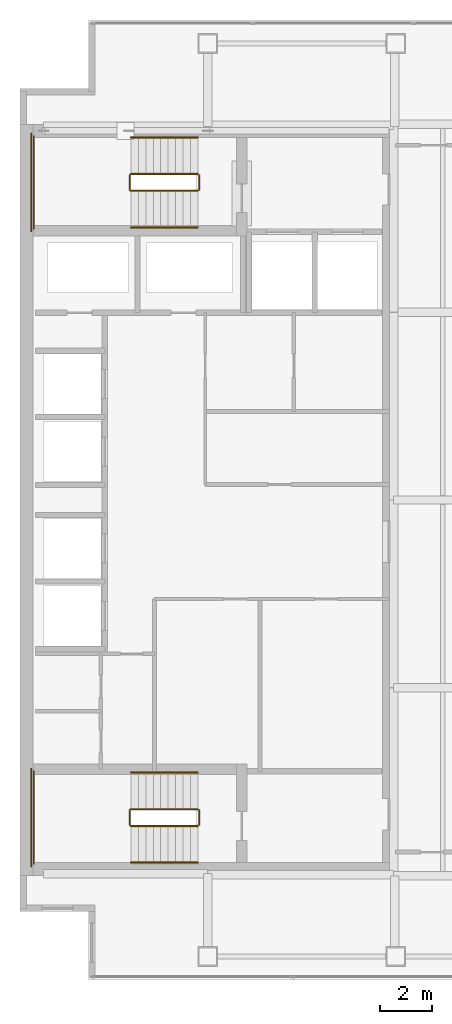
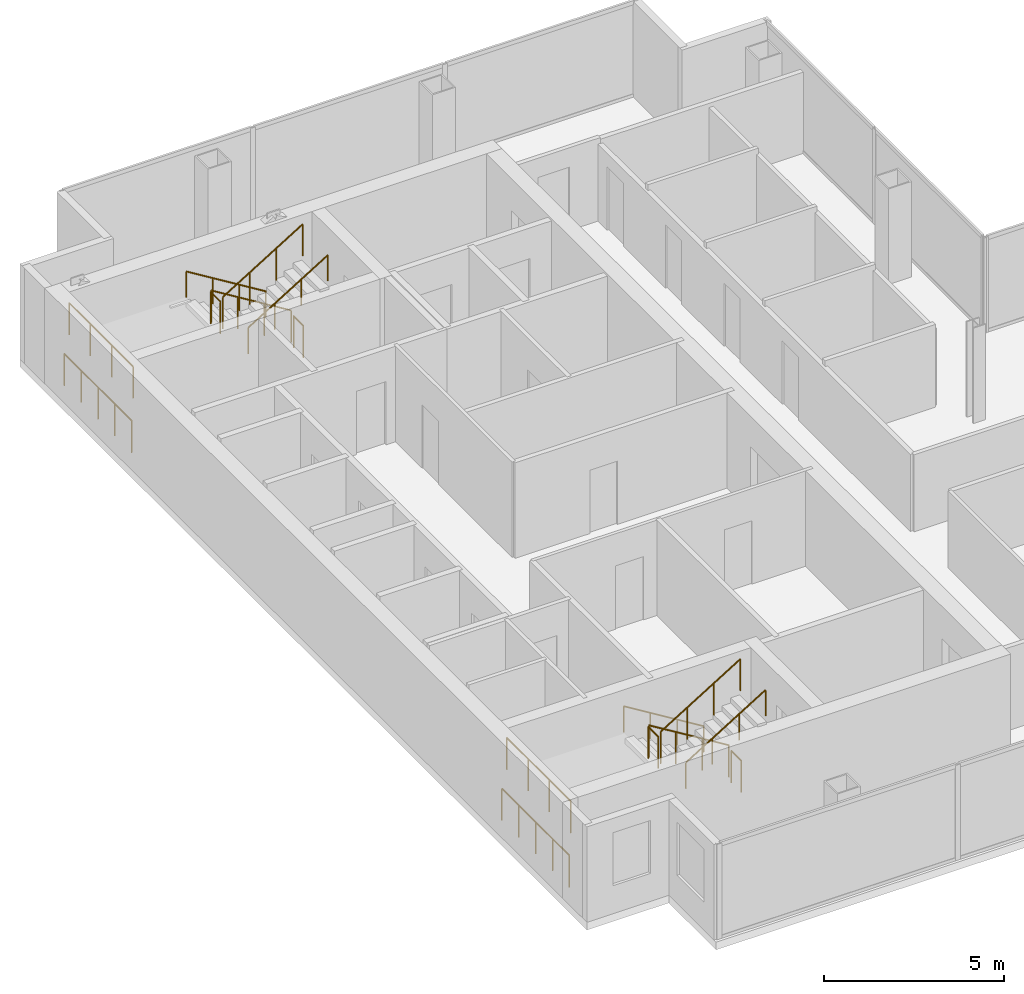
# One storey, part 23 of 23: 16 railings.
"""IFC4 building model written with IfcOpenShell, lengths in metres."""

import ifcopenshell
import ifcopenshell.guid

model = None  # the IFC model being written
_history = None  # IfcOwnerHistory: only IFC2X3 demands one
_inside = {}  # id of a spatial element -> (the spatial element, [elements in it])
_under = {}  # id of a project, library or spatial element -> (it, [spatial elements below it])
_declared = {}  # id of a project -> (the project, [libraries it declares])
_typed = {}  # id of a type object -> (the type object, [elements of that type])
_made_of = {}  # id of a material, layer set ... -> (it, [elements and type objects made of it])


def new_model(schema):
    """Start an empty IFC model of exactly this schema.

    Asked for "IFC4X3", IfcOpenShell would pick the latest addendum, in which some entities
    have other attributes; the version numbers below select the first issue.
    IFC2X3 requires an IfcOwnerHistory on every rooted entity: one is made here for all.
    """
    global model, _history
    if schema == "IFC4X3":
        model = ifcopenshell.file(schema_version=(4, 3, 0, 0))
    else:
        model = ifcopenshell.file(schema=schema)
    _inside.clear()
    _under.clear()
    _declared.clear()
    _typed.clear()
    _made_of.clear()
    _history = None
    if model.schema == "IFC2X3":
        org = make("IfcOrganization", Name="unknown")
        user = make(
            "IfcPersonAndOrganization",
            ThePerson=make("IfcPerson", FamilyName="unknown"),
            TheOrganization=org,
        )
        app = make(
            "IfcApplication",
            ApplicationDeveloper=org,
            Version="unknown",
            ApplicationFullName="unknown",
            ApplicationIdentifier="unknown",
        )
        _history = make(
            "IfcOwnerHistory",
            OwningUser=user,
            OwningApplication=app,
            ChangeAction="ADDED",
            CreationDate=0,
        )
    return model


def make(cls, **values):
    """One entity of the class cls with the attributes given. An attribute that is None is left unset."""
    return model.create_entity(
        cls, **{name: value for name, value in values.items() if value is not None}
    )


def rooted(cls, **values):
    """An entity with a GlobalId (a new one), such as an element, a storey or a relation."""
    return make(cls, GlobalId=ifcopenshell.guid.new(), OwnerHistory=_history, **values)


def si_unit(unit_type, name, prefix=None):
    """IfcSIUnit, for example si_unit("LENGTHUNIT", "METRE", prefix="MILLI")."""
    return make("IfcSIUnit", UnitType=unit_type, Prefix=prefix, Name=name)


def assignment(units):
    """IfcUnitAssignment: the units of a project."""
    return None if units is None else make("IfcUnitAssignment", Units=units)


def point(xyz):
    """IfcCartesianPoint."""
    return None if xyz is None else make("IfcCartesianPoint", Coordinates=xyz)


def direction(xyz):
    """IfcDirection."""
    return None if xyz is None else make("IfcDirection", DirectionRatios=xyz)


def frame(location, z_axis=None, x_axis=None):
    """IfcAxis2Placement3D, a coordinate frame: its origin and axes. An axis left out is left unset."""
    return make(
        "IfcAxis2Placement3D",
        Location=point(location),
        Axis=direction(z_axis),
        RefDirection=direction(x_axis),
    )


def frame_2d(location, x_axis=None):
    """IfcAxis2Placement2D, a coordinate frame in the plane: its origin and x axis."""
    return make(
        "IfcAxis2Placement2D", Location=point(location), RefDirection=direction(x_axis)
    )


def origin():
    """The frame at (0, 0, 0) with its axes left unset."""
    return frame((0.0, 0.0, 0.0))


def origin_2d():
    """The frame at (0, 0) in the plane with its x axis left unset."""
    return frame_2d((0.0, 0.0))


def place(relative_to, where):
    """IfcLocalPlacement: puts the frame where relative to a parent placement (None: the world)."""
    return make(
        "IfcLocalPlacement", PlacementRelTo=relative_to, RelativePlacement=where
    )


def context(
    kind, dimensions, precision=None, world=None, true_north=None, identifier=None
):
    """IfcGeometricRepresentationContext, for example the 3D "Model" context."""
    return make(
        "IfcGeometricRepresentationContext",
        ContextIdentifier=identifier,
        ContextType=kind,
        CoordinateSpaceDimension=dimensions,
        Precision=precision,
        WorldCoordinateSystem=world,
        TrueNorth=true_north,
    )


def subcontext(parent, identifier, kind, view, scale=None):
    """IfcGeometricRepresentationSubContext, for example "Body" below "Model"."""
    return make(
        "IfcGeometricRepresentationSubContext",
        ContextIdentifier=identifier,
        ContextType=kind,
        ParentContext=parent,
        TargetScale=scale,
        TargetView=view,
    )


def project(units=None, contexts=None):
    """IfcProject with its units and contexts."""
    return rooted(
        "IfcProject",
        Name="project",
        RepresentationContexts=contexts,
        UnitsInContext=assignment(units),
    )


def spatial(cls, under=None, at=None, **own):
    """A site, building, storey or space (cls), placed at a placement, below another one or the project."""
    s = rooted(cls, ObjectPlacement=at, **own)
    if under is not None:
        _under.setdefault(under.id(), (under, []))[1].append(s)
    return s


def profile(cls, at=None, kind="AREA", **sizes):
    """A parametric profile (cls). Its sizes go by their IFC names, for example OverallWidth=200.0."""
    return make(cls, ProfileType=kind, Position=at, **sizes)


def circle(**sizes):
    """IfcCircleProfileDef."""
    return profile("IfcCircleProfileDef", **sizes)


def extrude(swept, where, along, depth):
    """IfcExtrudedAreaSolid: the profile swept, set in the frame where, extruded along a direction by depth."""
    return make(
        "IfcExtrudedAreaSolid",
        SweptArea=swept,
        Position=where,
        ExtrudedDirection=direction(along),
        Depth=depth,
    )


def shape(context_of_items, identifier, shape_type, items):
    """IfcShapeRepresentation: the items that make up one representation, for example the "Body"."""
    return make(
        "IfcShapeRepresentation",
        ContextOfItems=context_of_items,
        RepresentationIdentifier=identifier,
        RepresentationType=shape_type,
        Items=items,
    )


def material(Name=None, Category=None):
    """IfcMaterial."""
    return make("IfcMaterial", Name=Name, Category=Category)


def made_of(thing, what):
    """Note that an element or type object is made of a material, layer set ...; save() writes the relation."""
    if what is not None:
        _made_of.setdefault(what.id(), (what, []))[1].append(thing)
    return thing


def type_object(cls, material=None, **own):
    """A type object (cls), such as IfcWallType, which elements share."""
    return made_of(rooted(cls, **own), material)


def element(
    cls,
    number,
    at=None,
    inside=None,
    cuts=None,
    type_object=None,
    material=None,
    context=None,
    identifier="Body",
    shape_type=None,
    held_by="IfcProductDefinitionShape",
    body=None,
    shapes=None,
    **own,
):
    """One element of the class cls, such as IfcWall. Its Tag is "e" and its number.

    at: its placement. inside: the storey or other place that contains it. cuts: it is an
    opening in that element (IfcRelVoidsElement). A single representation is given by context,
    identifier, shape_type and body (its items); several are given by shapes. held_by: the class
    of the entity that holds the representations. save() writes the other relations.
    """
    e = rooted(cls, Tag="e%d" % number, ObjectPlacement=at, **own)
    if body is not None:
        shapes = [shape(context, identifier, shape_type, body)]
    if shapes is not None:
        e.Representation = make(held_by, Representations=shapes)
    if inside is not None:
        _inside.setdefault(inside.id(), (inside, []))[1].append(e)
    if cuts is not None:
        rooted(
            "IfcRelVoidsElement", RelatingBuildingElement=cuts, RelatedOpeningElement=e
        )
    if type_object is not None:
        _typed.setdefault(type_object.id(), (type_object, []))[1].append(e)
    return made_of(e, material)


def aggregate(whole, parts):
    """IfcRelAggregates: a whole, such as a stair, and the parts it consists of."""
    return rooted("IfcRelAggregates", RelatingObject=whole, RelatedObjects=parts)


def save(model, path):
    """Write the relations noted so far, then the file.

    IfcRelAggregates (storeys below a building ...), IfcRelContainedInSpatialStructure (elements
    in a storey), IfcRelDefinesByType, IfcRelAssociatesMaterial and IfcRelDeclares: one each for
    every whole, place, type object, material and project.
    """
    for whole, parts in _under.values():
        aggregate(whole, parts)
    for where, things in _inside.values():
        rooted(
            "IfcRelContainedInSpatialStructure",
            RelatedElements=things,
            RelatingStructure=where,
        )
    for kind, things in _typed.values():
        rooted("IfcRelDefinesByType", RelatedObjects=things, RelatingType=kind)
    for what, things in _made_of.values():
        rooted("IfcRelAssociatesMaterial", RelatedObjects=things, RelatingMaterial=what)
    for by, libraries in _declared.values():
        rooted("IfcRelDeclares", RelatingContext=by, RelatedDefinitions=libraries)
    model.write(path)


model = new_model("IFC4")

# Units and contexts
model_context = context("Model", 3, precision=1e-05, world=origin(), true_north=direction((0.0, 1.0)))
body_context = subcontext(model_context, "Body", "Model", "MODEL_VIEW")
ifc_project = project(units=[si_unit("LENGTHUNIT", "METRE"), si_unit("AREAUNIT", "SQUARE_METRE"), si_unit("VOLUMEUNIT", "CUBIC_METRE"), si_unit("PLANEANGLEUNIT", "RADIAN"), si_unit("MASSUNIT", "GRAM", prefix="KILO")], contexts=[model_context])

# Site, building, storey
site_placement = place(None, origin())
site = spatial("IfcSite", under=ifc_project, at=site_placement, CompositionType="ELEMENT")
building_placement = place(site_placement, origin())
building = spatial("IfcBuilding", under=site, at=building_placement, Name="Cobrela Telecom Tower", CompositionType="ELEMENT")
storey_placement = place(building_placement, frame((0.0, 0.0, 211.75)))
storey = spatial("IfcBuildingStorey", under=building, at=storey_placement, Name="L54", CompositionType="ELEMENT", Elevation=211.75)

# Railings
ifc_material = material(Name="Steel ASTM A36", Category="steel")
railing_type_1 = type_object("IfcRailingType", Name="RAIL-GUARD-1100", PredefinedType="GUARDRAIL", material=ifc_material)
railing_1_placement = place(storey_placement, frame((6.820068359375, 34.10009765625, 0.175048828125)))
element("IfcRailing", 1, at=railing_1_placement, inside=storey, type_object=railing_type_1, Name="L54 ST1 stair guard 1", PredefinedType="GUARDRAIL", context=body_context, shape_type="SweptSolid", body=[
    extrude(circle(Radius=0.02392578125, at=origin_2d()), frame((0.0, 0.0, 1.076171875), z_axis=(-0.852195335862, 0.0, 0.523223766217), x_axis=(0.0, -1.0, 0.0)), (0.0, 0.0, 1.0), 3.010009765625),
    extrude(circle(Radius=0.02099609375, at=origin_2d()), origin(), (0.0, 0.0, 1.0), 1.052001953125),
    extrude(circle(Radius=0.02099609375, at=origin_2d()), frame((-0.85498046875, 0.0, 0.52490234375)), (0.0, 0.0, 1.0), 1.052001953125),
    extrude(circle(Radius=0.02099609375, at=origin_2d()), frame((-1.710205078125, 0.0, 1.050048828125)), (0.0, 0.0, 1.0), 1.052001953125),
    extrude(circle(Radius=0.02099609375, at=origin_2d()), frame((-2.565185546875, 0.0, 1.574951171875)), (0.0, 0.0, 1.0), 1.052001953125),
])
railing_2_placement = place(storey_placement, frame((4.205078125, 34.050048828125, 1.75)))
element("IfcRailing", 2, at=railing_2_placement, inside=storey, type_object=railing_type_1, Name="L54 ST1 stair guard 2", PredefinedType="GUARDRAIL", context=body_context, shape_type="SweptSolid", body=[
    extrude(circle(Radius=0.02392578125, at=origin_2d()), frame((0.0, 0.0, 1.076171875), z_axis=(0.0, -1.0, 0.0), x_axis=(1.0, 0.0, 0.0)), (0.0, 0.0, 1.0), 0.550048828125),
    extrude(circle(Radius=0.02099609375, at=origin_2d()), origin(), (0.0, 0.0, 1.0), 1.052001953125),
    extrude(circle(Radius=0.02099609375, at=origin_2d()), frame((0.0, -0.550048828125, 0.0)), (0.0, 0.0, 1.0), 1.052001953125),
])
railing_3_placement = place(storey_placement, frame((0.530029296875, 35.550048828125, 1.75)))
element("IfcRailing", 3, at=railing_3_placement, inside=storey, type_object=railing_type_1, Name="L54 ST1 stair guard 3", PredefinedType="GUARDRAIL", context=body_context, shape_type="SweptSolid", body=[
    extrude(circle(Radius=0.02392578125, at=origin_2d()), frame((0.0, 0.0, 1.076171875), z_axis=(0.0, -1.0, 0.0), x_axis=(1.0, 0.0, 0.0)), (0.0, 0.0, 1.0), 3.550048828125),
    extrude(circle(Radius=0.02099609375, at=origin_2d()), origin(), (0.0, 0.0, 1.0), 1.052001953125),
    extrude(circle(Radius=0.02099609375, at=origin_2d()), frame((0.0, -1.183349609375, 0.0)), (0.0, 0.0, 1.0), 1.052001953125),
    extrude(circle(Radius=0.02099609375, at=origin_2d()), frame((0.0, -2.36669921875, 0.0)), (0.0, 0.0, 1.0), 1.052001953125),
    extrude(circle(Radius=0.02099609375, at=origin_2d()), frame((0.0, -3.550048828125, 0.0)), (0.0, 0.0, 1.0), 1.052001953125),
])
railing_4_placement = place(storey_placement, frame((4.2548828125, 33.449951171875, 1.925048828125)))
element("IfcRailing", 4, at=railing_4_placement, inside=storey, type_object=railing_type_1, Name="L54 ST1 stair guard 4", PredefinedType="GUARDRAIL", context=body_context, shape_type="SweptSolid", body=[
    extrude(circle(Radius=0.02392578125, at=origin_2d()), frame((0.0, 0.0, 1.076171875), z_axis=(0.852195335862, 0.0, 0.523223766217), x_axis=(0.0, 1.0, 0.0)), (0.0, 0.0, 1.0), 3.010009765625),
    extrude(circle(Radius=0.02099609375, at=origin_2d()), origin(), (0.0, 0.0, 1.0), 1.052001953125),
    extrude(circle(Radius=0.02099609375, at=origin_2d()), frame((0.85498046875, 0.0, 0.52490234375)), (0.0, 0.0, 1.0), 1.052001953125),
    extrude(circle(Radius=0.02099609375, at=origin_2d()), frame((1.710205078125, 0.0, 1.050048828125)), (0.0, 0.0, 1.0), 1.052001953125),
    extrude(circle(Radius=0.02099609375, at=origin_2d()), frame((2.565185546875, 0.0, 1.574951171875)), (0.0, 0.0, 1.0), 1.052001953125),
])
railing_5_placement = place(storey_placement, frame((6.8701171875, 34.050048828125, 0.0)))
element("IfcRailing", 5, at=railing_5_placement, inside=storey, type_object=railing_type_1, Name="L54 ST1 stair guard 5", PredefinedType="GUARDRAIL", context=body_context, shape_type="SweptSolid", body=[
    extrude(circle(Radius=0.02392578125, at=origin_2d()), frame((0.0, 0.0, 1.076171875), z_axis=(0.0, -1.0, 0.0), x_axis=(1.0, 0.0, 0.0)), (0.0, 0.0, 1.0), 0.550048828125),
    extrude(circle(Radius=0.02099609375, at=origin_2d()), origin(), (0.0, 0.0, 1.0), 1.052001953125),
    extrude(circle(Radius=0.02099609375, at=origin_2d()), frame((0.0, -0.550048828125, 0.0)), (0.0, 0.0, 1.0), 1.052001953125),
])
railing_6_placement = place(storey_placement, frame((0.429931640625, 35.64990234375, 0.0)))
element("IfcRailing", 6, at=railing_6_placement, inside=storey, type_object=railing_type_1, Name="L54 ST1 stair guard 6", PredefinedType="GUARDRAIL", context=body_context, shape_type="SweptSolid", body=[
    extrude(circle(Radius=0.02392578125, at=origin_2d()), frame((0.0, 0.0, 1.076171875), z_axis=(0.0, -1.0, 0.0), x_axis=(1.0, 0.0, 0.0)), (0.0, 0.0, 1.0), 3.75),
    extrude(circle(Radius=0.02099609375, at=origin_2d()), origin(), (0.0, 0.0, 1.0), 1.052001953125),
    extrude(circle(Radius=0.02099609375, at=origin_2d()), frame((0.0, -0.9375, 0.0)), (0.0, 0.0, 1.0), 1.052001953125),
    extrude(circle(Radius=0.02099609375, at=origin_2d()), frame((0.0, -1.875, 0.0)), (0.0, 0.0, 1.0), 1.052001953125),
    extrude(circle(Radius=0.02099609375, at=origin_2d()), frame((0.0, -2.8125, 0.0)), (0.0, 0.0, 1.0), 1.052001953125),
    extrude(circle(Radius=0.02099609375, at=origin_2d()), frame((0.0, -3.75, 0.0)), (0.0, 0.0, 1.0), 1.052001953125),
])
railing_7_placement = place(storey_placement, frame((6.820068359375, 9.75, 0.175048828125)))
element("IfcRailing", 7, at=railing_7_placement, inside=storey, type_object=railing_type_1, Name="L54 ST2 stair guard 1", PredefinedType="GUARDRAIL", context=body_context, shape_type="SweptSolid", body=[
    extrude(circle(Radius=0.02392578125, at=origin_2d()), frame((0.0, 0.0, 1.076171875), z_axis=(-0.852195335862, 0.0, 0.523223766217), x_axis=(0.0, -1.0, 0.0)), (0.0, 0.0, 1.0), 3.010009765625),
    extrude(circle(Radius=0.02099609375, at=origin_2d()), origin(), (0.0, 0.0, 1.0), 1.052001953125),
    extrude(circle(Radius=0.02099609375, at=origin_2d()), frame((-0.85498046875, 0.0, 0.52490234375)), (0.0, 0.0, 1.0), 1.052001953125),
    extrude(circle(Radius=0.02099609375, at=origin_2d()), frame((-1.710205078125, 0.0, 1.050048828125)), (0.0, 0.0, 1.0), 1.052001953125),
    extrude(circle(Radius=0.02099609375, at=origin_2d()), frame((-2.565185546875, 0.0, 1.574951171875)), (0.0, 0.0, 1.0), 1.052001953125),
])
railing_8_placement = place(storey_placement, frame((4.205078125, 9.699951171875, 1.75)))
element("IfcRailing", 8, at=railing_8_placement, inside=storey, type_object=railing_type_1, Name="L54 ST2 stair guard 2", PredefinedType="GUARDRAIL", context=body_context, shape_type="SweptSolid", body=[
    extrude(circle(Radius=0.02392578125, at=origin_2d()), frame((0.0, 0.0, 1.076171875), z_axis=(0.0, -1.0, 0.0), x_axis=(1.0, 0.0, 0.0)), (0.0, 0.0, 1.0), 0.550048828125),
    extrude(circle(Radius=0.02099609375, at=origin_2d()), origin(), (0.0, 0.0, 1.0), 1.052001953125),
    extrude(circle(Radius=0.02099609375, at=origin_2d()), frame((0.0, -0.550048828125, 0.0)), (0.0, 0.0, 1.0), 1.052001953125),
])
railing_9_placement = place(storey_placement, frame((0.530029296875, 11.199951171875, 1.75)))
element("IfcRailing", 9, at=railing_9_placement, inside=storey, type_object=railing_type_1, Name="L54 ST2 stair guard 3", PredefinedType="GUARDRAIL", context=body_context, shape_type="SweptSolid", body=[
    extrude(circle(Radius=0.02392578125, at=origin_2d()), frame((0.0, 0.0, 1.076171875), z_axis=(0.0, -1.0, 0.0), x_axis=(1.0, 0.0, 0.0)), (0.0, 0.0, 1.0), 3.550048828125),
    extrude(circle(Radius=0.02099609375, at=origin_2d()), origin(), (0.0, 0.0, 1.0), 1.052001953125),
    extrude(circle(Radius=0.02099609375, at=origin_2d()), frame((0.0, -1.183349609375, 0.0)), (0.0, 0.0, 1.0), 1.052001953125),
    extrude(circle(Radius=0.02099609375, at=origin_2d()), frame((0.0, -2.36669921875, 0.0)), (0.0, 0.0, 1.0), 1.052001953125),
    extrude(circle(Radius=0.02099609375, at=origin_2d()), frame((0.0, -3.550048828125, 0.0)), (0.0, 0.0, 1.0), 1.052001953125),
])
railing_10_placement = place(storey_placement, frame((4.2548828125, 9.10009765625, 1.925048828125)))
element("IfcRailing", 10, at=railing_10_placement, inside=storey, type_object=railing_type_1, Name="L54 ST2 stair guard 4", PredefinedType="GUARDRAIL", context=body_context, shape_type="SweptSolid", body=[
    extrude(circle(Radius=0.02392578125, at=origin_2d()), frame((0.0, 0.0, 1.076171875), z_axis=(0.852195335862, 0.0, 0.523223766217), x_axis=(0.0, 1.0, 0.0)), (0.0, 0.0, 1.0), 3.010009765625),
    extrude(circle(Radius=0.02099609375, at=origin_2d()), origin(), (0.0, 0.0, 1.0), 1.052001953125),
    extrude(circle(Radius=0.02099609375, at=origin_2d()), frame((0.85498046875, 0.0, 0.52490234375)), (0.0, 0.0, 1.0), 1.052001953125),
    extrude(circle(Radius=0.02099609375, at=origin_2d()), frame((1.710205078125, 0.0, 1.050048828125)), (0.0, 0.0, 1.0), 1.052001953125),
    extrude(circle(Radius=0.02099609375, at=origin_2d()), frame((2.565185546875, 0.0, 1.574951171875)), (0.0, 0.0, 1.0), 1.052001953125),
])
railing_11_placement = place(storey_placement, frame((6.8701171875, 9.699951171875, 0.0)))
element("IfcRailing", 11, at=railing_11_placement, inside=storey, type_object=railing_type_1, Name="L54 ST2 stair guard 5", PredefinedType="GUARDRAIL", context=body_context, shape_type="SweptSolid", body=[
    extrude(circle(Radius=0.02392578125, at=origin_2d()), frame((0.0, 0.0, 1.076171875), z_axis=(0.0, -1.0, 0.0), x_axis=(1.0, 0.0, 0.0)), (0.0, 0.0, 1.0), 0.550048828125),
    extrude(circle(Radius=0.02099609375, at=origin_2d()), origin(), (0.0, 0.0, 1.0), 1.052001953125),
    extrude(circle(Radius=0.02099609375, at=origin_2d()), frame((0.0, -0.550048828125, 0.0)), (0.0, 0.0, 1.0), 1.052001953125),
])
railing_12_placement = place(storey_placement, frame((0.429931640625, 11.300048828125, 0.0)))
element("IfcRailing", 12, at=railing_12_placement, inside=storey, type_object=railing_type_1, Name="L54 ST2 stair guard 6", PredefinedType="GUARDRAIL", context=body_context, shape_type="SweptSolid", body=[
    extrude(circle(Radius=0.02392578125, at=origin_2d()), frame((0.0, 0.0, 1.076171875), z_axis=(0.0, -1.0, 0.0), x_axis=(1.0, 0.0, 0.0)), (0.0, 0.0, 1.0), 3.75),
    extrude(circle(Radius=0.02099609375, at=origin_2d()), origin(), (0.0, 0.0, 1.0), 1.052001953125),
    extrude(circle(Radius=0.02099609375, at=origin_2d()), frame((0.0, -0.9375, 0.0)), (0.0, 0.0, 1.0), 1.052001953125),
    extrude(circle(Radius=0.02099609375, at=origin_2d()), frame((0.0, -1.875, 0.0)), (0.0, 0.0, 1.0), 1.052001953125),
    extrude(circle(Radius=0.02099609375, at=origin_2d()), frame((0.0, -2.8125, 0.0)), (0.0, 0.0, 1.0), 1.052001953125),
    extrude(circle(Radius=0.02099609375, at=origin_2d()), frame((0.0, -3.75, 0.0)), (0.0, 0.0, 1.0), 1.052001953125),
])
railing_type_2 = type_object("IfcRailingType", Name="RAIL-HAND-920", PredefinedType="HANDRAIL", material=ifc_material)
railing_13_placement = place(storey_placement, frame((6.820068359375, 35.5, 0.175048828125)))
element("IfcRailing", 13, at=railing_13_placement, inside=storey, type_object=railing_type_2, Name="L54 ST1 stair handrail 1", PredefinedType="HANDRAIL", context=body_context, shape_type="SweptSolid", body=[
    extrude(circle(Radius=0.02392578125, at=origin_2d()), frame((0.0, 0.0, 0.8759765625), z_axis=(-0.852195335862, 0.0, 0.523223766217), x_axis=(0.0, -1.0, 0.0)), (0.0, 0.0, 1.0), 3.010009765625),
    extrude(circle(Radius=0.02099609375, at=origin_2d()), origin(), (0.0, 0.0, 1.0), 0.851806640625),
    extrude(circle(Radius=0.02099609375, at=origin_2d()), frame((-0.85498046875, 0.0, 0.52490234375)), (0.0, 0.0, 1.0), 0.851806640625),
    extrude(circle(Radius=0.02099609375, at=origin_2d()), frame((-1.710205078125, 0.0, 1.050048828125)), (0.0, 0.0, 1.0), 0.851806640625),
    extrude(circle(Radius=0.02099609375, at=origin_2d()), frame((-2.565185546875, 0.0, 1.574951171875)), (0.0, 0.0, 1.0), 0.851806640625),
])
railing_14_placement = place(storey_placement, frame((4.2548828125, 32.050048828125, 1.925048828125)))
element("IfcRailing", 14, at=railing_14_placement, inside=storey, type_object=railing_type_2, Name="L54 ST1 stair handrail 2", PredefinedType="HANDRAIL", context=body_context, shape_type="SweptSolid", body=[
    extrude(circle(Radius=0.02392578125, at=origin_2d()), frame((0.0, 0.0, 0.8759765625), z_axis=(0.852195335862, 0.0, 0.523223766217), x_axis=(0.0, 1.0, 0.0)), (0.0, 0.0, 1.0), 3.010009765625),
    extrude(circle(Radius=0.02099609375, at=origin_2d()), origin(), (0.0, 0.0, 1.0), 0.851806640625),
    extrude(circle(Radius=0.02099609375, at=origin_2d()), frame((0.85498046875, 0.0, 0.52490234375)), (0.0, 0.0, 1.0), 0.851806640625),
    extrude(circle(Radius=0.02099609375, at=origin_2d()), frame((1.710205078125, 0.0, 1.050048828125)), (0.0, 0.0, 1.0), 0.851806640625),
    extrude(circle(Radius=0.02099609375, at=origin_2d()), frame((2.565185546875, 0.0, 1.574951171875)), (0.0, 0.0, 1.0), 0.851806640625),
])
railing_15_placement = place(storey_placement, frame((6.820068359375, 11.14990234375, 0.175048828125)))
element("IfcRailing", 15, at=railing_15_placement, inside=storey, type_object=railing_type_2, Name="L54 ST2 stair handrail 1", PredefinedType="HANDRAIL", context=body_context, shape_type="SweptSolid", body=[
    extrude(circle(Radius=0.02392578125, at=origin_2d()), frame((0.0, 0.0, 0.8759765625), z_axis=(-0.852195335862, 0.0, 0.523223766217), x_axis=(0.0, -1.0, 0.0)), (0.0, 0.0, 1.0), 3.010009765625),
    extrude(circle(Radius=0.02099609375, at=origin_2d()), origin(), (0.0, 0.0, 1.0), 0.851806640625),
    extrude(circle(Radius=0.02099609375, at=origin_2d()), frame((-0.85498046875, 0.0, 0.52490234375)), (0.0, 0.0, 1.0), 0.851806640625),
    extrude(circle(Radius=0.02099609375, at=origin_2d()), frame((-1.710205078125, 0.0, 1.050048828125)), (0.0, 0.0, 1.0), 0.851806640625),
    extrude(circle(Radius=0.02099609375, at=origin_2d()), frame((-2.565185546875, 0.0, 1.574951171875)), (0.0, 0.0, 1.0), 0.851806640625),
])
railing_16_placement = place(storey_placement, frame((4.2548828125, 7.699951171875, 1.925048828125)))
element("IfcRailing", 16, at=railing_16_placement, inside=storey, type_object=railing_type_2, Name="L54 ST2 stair handrail 2", PredefinedType="HANDRAIL", context=body_context, shape_type="SweptSolid", body=[
    extrude(circle(Radius=0.02392578125, at=origin_2d()), frame((0.0, 0.0, 0.8759765625), z_axis=(0.852195335862, 0.0, 0.523223766217), x_axis=(0.0, 1.0, 0.0)), (0.0, 0.0, 1.0), 3.010009765625),
    extrude(circle(Radius=0.02099609375, at=origin_2d()), origin(), (0.0, 0.0, 1.0), 0.851806640625),
    extrude(circle(Radius=0.02099609375, at=origin_2d()), frame((0.85498046875, 0.0, 0.52490234375)), (0.0, 0.0, 1.0), 0.851806640625),
    extrude(circle(Radius=0.02099609375, at=origin_2d()), frame((1.710205078125, 0.0, 1.050048828125)), (0.0, 0.0, 1.0), 0.851806640625),
    extrude(circle(Radius=0.02099609375, at=origin_2d()), frame((2.565185546875, 0.0, 1.574951171875)), (0.0, 0.0, 1.0), 0.851806640625),
])

save(model, "model.ifc")
